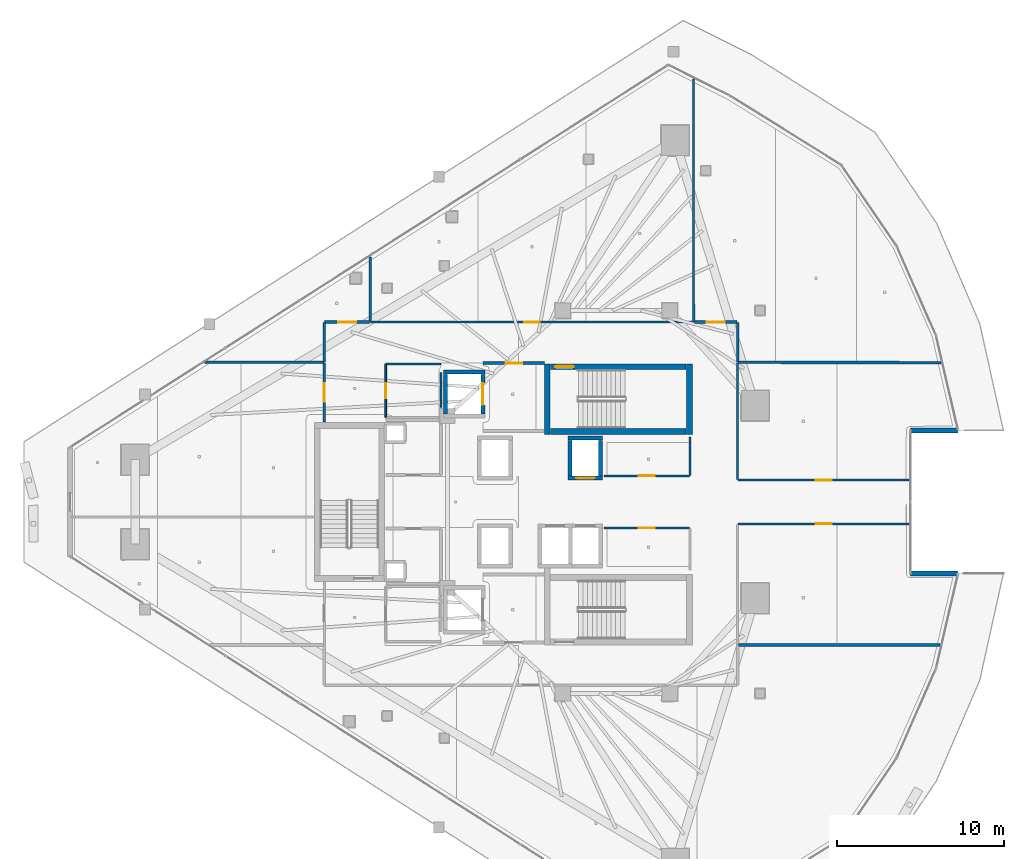
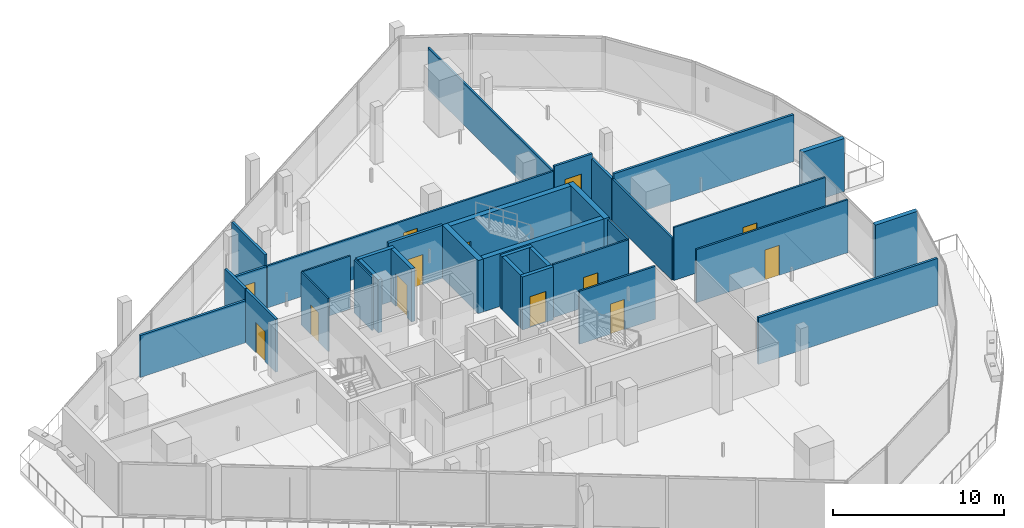
# One storey, part 22 of 30: 34 walls, 13 doors, 13 openings.
"""IFC4 building model written with IfcOpenShell, lengths in metres."""

from ifc_helpers import new_model, si_unit, direction, frame, frame_2d, origin, place, context, subcontext, project, spatial, rectangle, extrude, material, layer, layer_set, type_object, element, fill, save


model = new_model("IFC4")

# Units and contexts
model_context = context("Model", 3, precision=1e-05, world=origin(), true_north=direction((0.0, 1.0)))
body_context = subcontext(model_context, "Body", "Model", "MODEL_VIEW")
ifc_project = project(units=[si_unit("LENGTHUNIT", "METRE"), si_unit("AREAUNIT", "SQUARE_METRE"), si_unit("VOLUMEUNIT", "CUBIC_METRE"), si_unit("PLANEANGLEUNIT", "RADIAN"), si_unit("MASSUNIT", "GRAM", prefix="KILO")], contexts=[model_context])

# Site, building, storey
site_placement = place(None, origin())
site = spatial("IfcSite", under=ifc_project, at=site_placement, CompositionType="ELEMENT")
building_placement = place(site_placement, origin())
building = spatial("IfcBuilding", under=site, at=building_placement, Name="Qorvath Tower", CompositionType="ELEMENT")
storey_placement = place(building_placement, frame((0.0, 0.0, 217.199951171875)))
storey = spatial("IfcBuildingStorey", under=building, at=storey_placement, Name="L50", CompositionType="ELEMENT", Elevation=217.199951171875)

# Wall, opening, door
ifc_material_1 = material(Name="Gypsum shaftliner on steel studs", Category="steel")
ifc_layer_1 = layer(ifc_material_1, 0.179931640625)
ifc_layer_set_1 = layer_set([ifc_layer_1], Name="FW-LOBBY")
wall_type_1 = type_object("IfcWallType", Name="FW-LOBBY", PredefinedType="PARTITIONING", material=ifc_layer_set_1)
wall_1_placement = place(storey_placement, frame((-24.68408203125, 8.300048828125, 0.0), z_axis=(0.0, 0.0, 1.0), x_axis=(-1.0, 0.0, 0.0)))
wall_1 = element("IfcWall", 1, at=wall_1_placement, inside=storey, type_object=wall_type_1, Name="Interior Partition IW-T1-L50-002", PredefinedType="PARTITIONING", context=body_context, shape_type="SweptSolid", body=[
    extrude(rectangle(XDim=3.6708984375, YDim=0.179931640625, at=frame_2d((1.83544921875, 0.0))), origin(), (0.0, 0.0, 1.0), 3.780029296875),
])
opening_1_placement = place(wall_1_placement, frame((1.33544921875, 0.0, 0.0)))
opening_1 = element("IfcOpeningElement", 2, at=opening_1_placement, cuts=wall_1, Name="Opening D-T1-L50-15", PredefinedType="OPENING", context=body_context, shape_type="SweptSolid", body=[
    extrude(rectangle(XDim=1.0, YDim=2.14990234375, at=frame_2d((0.5, 1.074951171875))), frame((0.0, 0.10009765625, 0.0), z_axis=(0.0, -1.0, 0.0), x_axis=(1.0, 0.0, 0.0)), (0.0, 0.0, 1.0), 0.199951171875),
])
ifc_material_2 = material(Name="Painted galvanised hollow metal", Category="steel")
door_type_1 = type_object("IfcDoorType", Name="FD-60", OperationType="NOTDEFINED", PredefinedType="DOOR", material=ifc_material_2)
door_1_placement = place(opening_1_placement, origin())
door_1 = element("IfcDoor", 3, at=door_1_placement, inside=storey, type_object=door_type_1, Name="Lobby Fire Service Elevator North Door D-T1-L50-15", OperationType="SINGLE_SWING_RIGHT", OverallHeight=2.14990234375, OverallWidth=1.0, PredefinedType="DOOR", context=body_context, shape_type="SweptSolid", body=[
    extrude(rectangle(XDim=1.0, YDim=2.14990234375, at=frame_2d((0.5, 1.074951171875))), frame((0.0, 0.02490234375, 0.0), z_axis=(0.0, -1.0, 0.0), x_axis=(1.0, 0.0, 0.0)), (0.0, 0.0, 1.0), 0.050048828125),
])
fill(opening_1, door_1)

# Walls
ifc_material_3 = material(Name="Double acoustic gypsum board on steel studs", Category="steel")
ifc_layer_2 = layer(ifc_material_3, 0.159912109375)
ifc_layer_set_2 = layer_set([ifc_layer_2], Name="IW-ACOUSTIC-160")
wall_type_2 = type_object("IfcWallType", Name="IW-ACOUSTIC-160", PredefinedType="PARTITIONING", material=ifc_layer_set_2)
wall_2_placement = place(storey_placement, frame((-45.034423828125, 8.35009765625, 0.0), z_axis=(0.0, 0.0, 1.0), x_axis=(1.0, 0.0, 0.0)))
element("IfcWall", 4, at=wall_2_placement, inside=storey, type_object=wall_type_2, Name="Interior Partition IW-T1-L50-023", PredefinedType="PARTITIONING", context=body_context, shape_type="SweptSolid", body=[
    extrude(rectangle(XDim=7.151611328125, YDim=0.159912109375, at=frame_2d((3.57568359375, 0.0))), origin(), (0.0, 0.0, 1.0), 3.0),
])
wall_3_placement = place(storey_placement, frame((-37.85791015625, 8.375, 0.0), z_axis=(0.0, 0.0, 1.0), x_axis=(0.0, 1.0, 0.0)))
element("IfcWall", 5, at=wall_3_placement, inside=storey, type_object=wall_type_2, Name="Interior Partition IW-T1-L50-024", PredefinedType="PARTITIONING", context=body_context, shape_type="SweptSolid", body=[
    extrude(rectangle(XDim=2.358154296875, YDim=0.159912109375, at=frame_2d((1.17919921875, 0.0))), origin(), (0.0, 0.0, 1.0), 3.780029296875),
])

# Wall, opening, door
wall_4_placement = place(storey_placement, frame((-35.142333984375, 10.758056640625, 0.0), z_axis=(0.0, 0.0, 1.0), x_axis=(-1.0, 0.0, 0.0)))
wall_4 = element("IfcWall", 6, at=wall_4_placement, inside=storey, type_object=wall_type_2, Name="Interior Partition IW-T1-L50-025", PredefinedType="PARTITIONING", context=body_context, shape_type="SweptSolid", body=[
    extrude(rectangle(XDim=2.690673828125, YDim=0.159912109375, at=frame_2d((1.34521484375, 0.0))), origin(), (0.0, 0.0, 1.0), 3.0),
])
opening_2_placement = place(wall_4_placement, frame((0.79541015625, 0.0, 0.0)))
opening_2 = element("IfcOpeningElement", 7, at=opening_2_placement, cuts=wall_4, Name="Opening D-T1-L50-07", PredefinedType="OPENING", context=body_context, shape_type="SweptSolid", body=[
    extrude(rectangle(XDim=1.10009765625, YDim=2.14990234375, at=frame_2d((0.550048828125, 1.074951171875))), frame((0.0, 0.08984375, 0.0), z_axis=(0.0, -1.0, 0.0), x_axis=(1.0, 0.0, 0.0)), (0.0, 0.0, 1.0), 0.179931640625),
])
ifc_material_4 = material(Name="Anodised aluminium acoustic framed glass", Category="aluminium")
door_type_2 = type_object("IfcDoorType", Name="D-03", OperationType="NOTDEFINED", PredefinedType="DOOR", material=ifc_material_4)
door_2_placement = place(opening_2_placement, origin())
door_2 = element("IfcDoor", 8, at=door_2_placement, inside=storey, type_object=door_type_2, Name="L50-01 Enclosed Conference Suite Door D-T1-L50-07", OperationType="SINGLE_SWING_RIGHT", OverallHeight=2.14990234375, OverallWidth=1.10009765625, PredefinedType="DOOR", context=body_context, shape_type="SweptSolid", body=[
    extrude(rectangle(XDim=1.10009765625, YDim=2.14990234375, at=frame_2d((0.550048828125, 1.074951171875))), frame((0.0, 0.02490234375, 0.0), z_axis=(0.0, -1.0, 0.0), x_axis=(1.0, 0.0, 0.0)), (0.0, 0.0, 1.0), 0.050048828125),
])
fill(opening_2, door_2)

# Wall
wall_5_placement = place(storey_placement, frame((-35.117431640625, 10.783203125, 0.0), z_axis=(0.0, 0.0, 1.0), x_axis=(0.0, 1.0, 0.0)))
element("IfcWall", 9, at=wall_5_placement, inside=storey, type_object=wall_type_2, Name="Interior Partition IW-T1-L50-026", PredefinedType="PARTITIONING", context=body_context, shape_type="SweptSolid", body=[
    extrude(rectangle(XDim=3.876220703125, YDim=0.159912109375, at=frame_2d((1.93798828125, 0.0))), origin(), (0.0, 0.0, 1.0), 3.780029296875),
])

# Wall, opening, door
wall_6_placement = place(storey_placement, frame((-15.734375, 10.758056640625, 0.0), z_axis=(0.0, 0.0, 1.0), x_axis=(1.0, 0.0, 0.0)))
wall_6 = element("IfcWall", 10, at=wall_6_placement, inside=storey, type_object=wall_type_2, Name="Interior Partition IW-T1-L50-029", PredefinedType="PARTITIONING", context=body_context, shape_type="SweptSolid", body=[
    extrude(rectangle(XDim=2.5673828125, YDim=0.159912109375, at=frame_2d((1.28369140625, 0.0))), origin(), (0.0, 0.0, 1.0), 3.34423828125),
])
opening_3_placement = place(wall_6_placement, frame((0.733642578125, 0.0, 0.0)))
opening_3 = element("IfcOpeningElement", 11, at=opening_3_placement, cuts=wall_6, Name="Opening D-T1-L50-09", PredefinedType="OPENING", context=body_context, shape_type="SweptSolid", body=[
    extrude(rectangle(XDim=1.10009765625, YDim=2.14990234375, at=frame_2d((0.550048828125, 1.074951171875))), frame((0.0, 0.08984375, 0.0), z_axis=(0.0, -1.0, 0.0), x_axis=(1.0, 0.0, 0.0)), (0.0, 0.0, 1.0), 0.179931640625),
])
door_3_placement = place(opening_3_placement, origin())
door_3 = element("IfcDoor", 12, at=door_3_placement, inside=storey, type_object=door_type_2, Name="L50-03 Client Services Office Door D-T1-L50-09", OperationType="SINGLE_SWING_RIGHT", OverallHeight=2.14990234375, OverallWidth=1.10009765625, PredefinedType="DOOR", context=body_context, shape_type="SweptSolid", body=[
    extrude(rectangle(XDim=1.10009765625, YDim=2.14990234375, at=frame_2d((0.550048828125, 1.074951171875))), frame((0.0, 0.02490234375, 0.0), z_axis=(0.0, -1.0, 0.0), x_axis=(1.0, 0.0, 0.0)), (0.0, 0.0, 1.0), 0.050048828125),
])
fill(opening_3, door_3)

# Walls
wall_7_placement = place(storey_placement, frame((-13.14208984375, 10.733154296875, 0.0), z_axis=(0.0, 0.0, 1.0), x_axis=(0.0, -1.0, 0.0)))
element("IfcWall", 13, at=wall_7_placement, inside=storey, type_object=wall_type_2, Name="Interior Partition IW-T1-L50-030", PredefinedType="PARTITIONING", context=body_context, shape_type="SweptSolid", body=[
    extrude(rectangle(XDim=2.358154296875, YDim=0.159912109375, at=frame_2d((1.17919921875, 0.0))), origin(), (0.0, 0.0, 1.0), 3.0),
])
wall_8_placement = place(storey_placement, frame((-13.1171875, 8.35009765625, 0.0), z_axis=(0.0, 0.0, 1.0), x_axis=(0.999998922727, -0.001467836675, 0.0)))
element("IfcWall", 14, at=wall_8_placement, inside=storey, type_object=wall_type_2, Name="Interior Partition IW-T1-L50-031", PredefinedType="PARTITIONING", context=body_context, shape_type="SweptSolid", body=[
    extrude(rectangle(XDim=12.141845703125, YDim=0.159912109375, at=frame_2d((6.07080078125, 0.0))), origin(), (0.0, 0.0, 1.0), 3.34423828125),
])
wall_9_placement = place(storey_placement, frame((-1.026123046875, -8.550048828125, 0.0), z_axis=(0.0, 0.0, 1.0), x_axis=(-1.0, 0.0, 0.0)))
element("IfcWall", 15, at=wall_9_placement, inside=storey, type_object=wall_type_2, Name="Interior Partition IW-T1-L50-032", PredefinedType="PARTITIONING", context=body_context, shape_type="SweptSolid", body=[
    extrude(rectangle(XDim=12.091064453125, YDim=0.159912109375, at=frame_2d((6.04541015625, 0.0))), origin(), (0.0, 0.0, 1.0), 3.34423828125),
])

# Wall, opening, door
wall_10_placement = place(storey_placement, frame((-37.85791015625, 4.783203125, 0.0), z_axis=(0.0, 0.0, 1.0), x_axis=(0.0, 1.0, 0.0)))
wall_10 = element("IfcWall", 16, at=wall_10_placement, inside=storey, type_object=wall_type_2, Name="Interior Partition IW-T1-L50-043", PredefinedType="PARTITIONING", context=body_context, shape_type="SweptSolid", body=[
    extrude(rectangle(XDim=3.53369140625, YDim=0.159912109375, at=frame_2d((1.766845703125, 0.0))), origin(), (0.0, 0.0, 1.0), 3.780029296875),
])
opening_4_placement = place(wall_10_placement, frame((1.216796875, 0.0, 0.0)))
opening_4 = element("IfcOpeningElement", 17, at=opening_4_placement, cuts=wall_10, Name="Opening D-T1-L50-14", PredefinedType="OPENING", context=body_context, shape_type="SweptSolid", body=[
    extrude(rectangle(XDim=1.10009765625, YDim=2.14990234375, at=frame_2d((0.550048828125, 1.074951171875))), frame((0.0, 0.08984375, 0.0), z_axis=(0.0, -1.0, 0.0), x_axis=(1.0, 0.0, 0.0)), (0.0, 0.0, 1.0), 0.179931640625),
])
door_4_placement = place(opening_4_placement, origin())
door_4 = element("IfcDoor", 18, at=door_4_placement, inside=storey, type_object=door_type_2, Name="L50-08 Digital Visualization Suite Door D-T1-L50-14", OperationType="SINGLE_SWING_LEFT", OverallHeight=2.14990234375, OverallWidth=1.10009765625, PredefinedType="DOOR", context=body_context, shape_type="SweptSolid", body=[
    extrude(rectangle(XDim=1.10009765625, YDim=2.14990234375, at=frame_2d((0.550048828125, 1.074951171875))), frame((0.0, 0.02490234375, 0.0), z_axis=(0.0, -1.0, 0.0), x_axis=(1.0, 0.0, 0.0)), (0.0, 0.0, 1.0), 0.050048828125),
])
fill(opening_4, door_4)

ifc_material_5 = material(Name="Gypsum board on metal studs with mineral wool", Category="gypsum")
ifc_layer_3 = layer(ifc_material_5, 0.125)
ifc_layer_set_3 = layer_set([ifc_layer_3], Name="IW-PART-125")
wall_type_3 = type_object("IfcWallType", Name="IW-PART-125", PredefinedType="PARTITIONING", material=ifc_layer_set_3)
wall_11_placement = place(storey_placement, frame((-21.1337890625, 1.56005859375, 0.0), z_axis=(0.0, 0.0, 1.0), x_axis=(1.0, 0.0, 0.0)))
wall_11 = element("IfcWall", 19, at=wall_11_placement, inside=storey, type_object=wall_type_3, Name="Interior Partition IW-T1-L50-013", PredefinedType="PARTITIONING", context=body_context, shape_type="SweptSolid", body=[
    extrude(rectangle(XDim=5.10888671875, YDim=0.125, at=frame_2d((2.554443359375, 0.0))), origin(), (0.0, 0.0, 1.0), 3.780029296875),
])
opening_5_placement = place(wall_11_placement, frame((2.079345703125, 0.0, 0.0)))
opening_5 = element("IfcOpeningElement", 20, at=opening_5_placement, cuts=wall_11, Name="Opening D-T1-L50-03", PredefinedType="OPENING", context=body_context, shape_type="SweptSolid", body=[
    extrude(rectangle(XDim=0.949951171875, YDim=2.14990234375, at=frame_2d((0.47509765625, 1.074951171875))), frame((0.0, 0.072509765625, 0.0), z_axis=(0.0, -1.0, 0.0), x_axis=(1.0, 0.0, 0.0)), (0.0, 0.0, 1.0), 0.14501953125),
])
ifc_material_6 = material(Name="Solid-core American white oak veneer", Category="wood")
door_type_3 = type_object("IfcDoorType", Name="D-01", OperationType="NOTDEFINED", PredefinedType="DOOR", material=ifc_material_6)
door_5_placement = place(opening_5_placement, origin())
door_5 = element("IfcDoor", 21, at=door_5_placement, inside=storey, type_object=door_type_3, Name="L50-RCN North Quantitative Server Suite Door D-T1-L50-03", OperationType="SINGLE_SWING_RIGHT", OverallHeight=2.14990234375, OverallWidth=0.949951171875, PredefinedType="DOOR", context=body_context, shape_type="SweptSolid", body=[
    extrude(rectangle(XDim=0.949951171875, YDim=2.14990234375, at=frame_2d((0.47509765625, 1.074951171875))), frame((0.0, 0.02490234375, 0.0), z_axis=(0.0, -1.0, 0.0), x_axis=(1.0, 0.0, 0.0)), (0.0, 0.0, 1.0), 0.050048828125),
])
fill(opening_5, door_5)

# Wall
wall_12_placement = place(storey_placement, frame((-16.0, 1.585205078125, 0.0), z_axis=(0.0, 0.0, 1.0), x_axis=(0.0, 1.0, 0.0)))
element("IfcWall", 22, at=wall_12_placement, inside=storey, type_object=wall_type_3, Name="Interior Partition IW-T1-L50-014", PredefinedType="PARTITIONING", context=body_context, shape_type="SweptSolid", body=[
    extrude(rectangle(XDim=2.30224609375, YDim=0.125, at=frame_2d((1.151123046875, 0.0))), origin(), (0.0, 0.0, 1.0), 3.780029296875),
])

# Wall, opening, door
wall_13_placement = place(storey_placement, frame((-16.02490234375, -1.56005859375, 0.0), z_axis=(0.0, 0.0, 1.0), x_axis=(-1.0, 0.0, 0.0)))
wall_13 = element("IfcWall", 23, at=wall_13_placement, inside=storey, type_object=wall_type_3, Name="Interior Partition IW-T1-L50-016", PredefinedType="PARTITIONING", context=body_context, shape_type="SweptSolid", body=[
    extrude(rectangle(XDim=5.10888671875, YDim=0.125, at=frame_2d((2.554443359375, 0.0))), origin(), (0.0, 0.0, 1.0), 3.780029296875),
])
opening_6_placement = place(wall_13_placement, frame((2.079345703125, 0.0, 0.0)))
opening_6 = element("IfcOpeningElement", 24, at=opening_6_placement, cuts=wall_13, Name="Opening D-T1-L50-04", PredefinedType="OPENING", context=body_context, shape_type="SweptSolid", body=[
    extrude(rectangle(XDim=0.949951171875, YDim=2.14990234375, at=frame_2d((0.47509765625, 1.074951171875))), frame((0.0, 0.072509765625, 0.0), z_axis=(0.0, -1.0, 0.0), x_axis=(1.0, 0.0, 0.0)), (0.0, 0.0, 1.0), 0.14501953125),
])
door_6_placement = place(opening_6_placement, origin())
door_6 = element("IfcDoor", 25, at=door_6_placement, inside=storey, type_object=door_type_3, Name="L50-RCS South Quantitative Server Suite Door D-T1-L50-04", OperationType="SINGLE_SWING_LEFT", OverallHeight=2.14990234375, OverallWidth=0.949951171875, PredefinedType="DOOR", context=body_context, shape_type="SweptSolid", body=[
    extrude(rectangle(XDim=0.949951171875, YDim=2.14990234375, at=frame_2d((0.47509765625, 1.074951171875))), frame((0.0, 0.02490234375, 0.0), z_axis=(0.0, -1.0, 0.0), x_axis=(1.0, 0.0, 0.0)), (0.0, 0.0, 1.0), 0.050048828125),
])
fill(opening_6, door_6)

wall_14_placement = place(storey_placement, frame((-35.08447265625, 10.758056640625, 0.0), z_axis=(0.0, 0.0, 1.0), x_axis=(1.0, 0.0, 0.0)))
wall_14 = element("IfcWall", 26, at=wall_14_placement, inside=storey, type_object=wall_type_3, Name="Interior Partition IW-T1-L50-027", PredefinedType="PARTITIONING", context=body_context, shape_type="SweptSolid", body=[
    extrude(rectangle(XDim=19.292236328125, YDim=0.125, at=frame_2d((9.64599609375, 0.0))), origin(), (0.0, 0.0, 1.0), 3.0),
])
opening_7_placement = place(wall_14_placement, frame((9.171142578125, 0.0, 0.0)))
opening_7 = element("IfcOpeningElement", 27, at=opening_7_placement, cuts=wall_14, Name="Opening D-T1-L50-08", PredefinedType="OPENING", context=body_context, shape_type="SweptSolid", body=[
    extrude(rectangle(XDim=0.949951171875, YDim=2.14990234375, at=frame_2d((0.47509765625, 1.074951171875))), frame((0.0, 0.072509765625, 0.0), z_axis=(0.0, -1.0, 0.0), x_axis=(1.0, 0.0, 0.0)), (0.0, 0.0, 1.0), 0.14501953125),
])
door_7_placement = place(opening_7_placement, origin())
door_7 = element("IfcDoor", 28, at=door_7_placement, inside=storey, type_object=door_type_3, Name="L50-02 Focus Collaboration Pod Door D-T1-L50-08", OperationType="SINGLE_SWING_LEFT", OverallHeight=2.14990234375, OverallWidth=0.949951171875, PredefinedType="DOOR", context=body_context, shape_type="SweptSolid", body=[
    extrude(rectangle(XDim=0.949951171875, YDim=2.14990234375, at=frame_2d((0.47509765625, 1.074951171875))), frame((0.0, 0.02490234375, 0.0), z_axis=(0.0, -1.0, 0.0), x_axis=(1.0, 0.0, 0.0)), (0.0, 0.0, 1.0), 0.050048828125),
])
fill(opening_7, door_7)

# Wall
wall_15_placement = place(storey_placement, frame((-15.767333984375, 10.783203125, 0.0), z_axis=(0.0, 0.0, 1.0), x_axis=(-0.000168234045, 0.999999985849, 0.0)))
element("IfcWall", 29, at=wall_15_placement, inside=storey, type_object=wall_type_3, Name="Interior Partition IW-T1-L50-028", PredefinedType="PARTITIONING", context=body_context, shape_type="SweptSolid", body=[
    extrude(rectangle(XDim=14.511962890625, YDim=0.125, at=frame_2d((7.255859375, 0.0))), origin(), (0.0, 0.0, 1.0), 3.0),
])

# Wall, opening, door
wall_16_placement = place(storey_placement, frame((-2.881591796875, -1.30810546875, 0.0), z_axis=(0.0, 0.0, 1.0), x_axis=(-1.0, 0.0, 0.0)))
wall_16 = element("IfcWall", 30, at=wall_16_placement, inside=storey, type_object=wall_type_3, Name="Interior Partition IW-T1-L50-037", PredefinedType="PARTITIONING", context=body_context, shape_type="SweptSolid", body=[
    extrude(rectangle(XDim=10.235595703125, YDim=0.125, at=frame_2d((5.11767578125, 0.0))), origin(), (0.0, 0.0, 1.0), 3.780029296875),
])
opening_8_placement = place(wall_16_placement, frame((4.642822265625, 0.0, 0.0)))
opening_8 = element("IfcOpeningElement", 31, at=opening_8_placement, cuts=wall_16, Name="Opening D-T1-L50-11", PredefinedType="OPENING", context=body_context, shape_type="SweptSolid", body=[
    extrude(rectangle(XDim=0.949951171875, YDim=2.14990234375, at=frame_2d((0.47509765625, 1.074951171875))), frame((0.0, 0.072509765625, 0.0), z_axis=(0.0, -1.0, 0.0), x_axis=(1.0, 0.0, 0.0)), (0.0, 0.0, 1.0), 0.14501953125),
])
door_8_placement = place(opening_8_placement, origin())
door_8 = element("IfcDoor", 32, at=door_8_placement, inside=storey, type_object=door_type_3, Name="L50-05 Design Pin-Up Atelier Door D-T1-L50-11", OperationType="SINGLE_SWING_RIGHT", OverallHeight=2.14990234375, OverallWidth=0.949951171875, PredefinedType="DOOR", context=body_context, shape_type="SweptSolid", body=[
    extrude(rectangle(XDim=0.949951171875, YDim=2.14990234375, at=frame_2d((0.47509765625, 1.074951171875))), frame((0.0, 0.02490234375, 0.0), z_axis=(0.0, -1.0, 0.0), x_axis=(1.0, 0.0, 0.0)), (0.0, 0.0, 1.0), 0.050048828125),
])
fill(opening_8, door_8)

# Wall
wall_17_placement = place(storey_placement, frame((-13.14208984375, 8.31689453125, 0.0), z_axis=(0.0, 0.0, 1.0), x_axis=(0.0, -1.0, 0.0)))
element("IfcWall", 33, at=wall_17_placement, inside=storey, type_object=wall_type_3, Name="Interior Partition IW-T1-L50-039", PredefinedType="PARTITIONING", context=body_context, shape_type="SweptSolid", body=[
    extrude(rectangle(XDim=6.98388671875, YDim=0.125, at=frame_2d((3.491943359375, 0.0))), origin(), (0.0, 0.0, 1.0), 3.0),
])

# Wall, opening, door
wall_18_placement = place(storey_placement, frame((-13.1171875, 1.30810546875, 0.0), z_axis=(0.0, 0.0, 1.0), x_axis=(1.0, 0.0, 0.0)))
wall_18 = element("IfcWall", 34, at=wall_18_placement, inside=storey, type_object=wall_type_3, Name="Interior Partition IW-T1-L50-040", PredefinedType="PARTITIONING", context=body_context, shape_type="SweptSolid", body=[
    extrude(rectangle(XDim=10.235595703125, YDim=0.125, at=frame_2d((5.11767578125, 0.0))), origin(), (0.0, 0.0, 1.0), 3.780029296875),
])
opening_9_placement = place(wall_18_placement, frame((4.642822265625, 0.0, 0.0)))
opening_9 = element("IfcOpeningElement", 35, at=opening_9_placement, cuts=wall_18, Name="Opening D-T1-L50-12", PredefinedType="OPENING", context=body_context, shape_type="SweptSolid", body=[
    extrude(rectangle(XDim=0.949951171875, YDim=2.14990234375, at=frame_2d((0.47509765625, 1.074951171875))), frame((0.0, 0.072509765625, 0.0), z_axis=(0.0, -1.0, 0.0), x_axis=(1.0, 0.0, 0.0)), (0.0, 0.0, 1.0), 0.14501953125),
])
door_9_placement = place(opening_9_placement, origin())
door_9 = element("IfcDoor", 36, at=door_9_placement, inside=storey, type_object=door_type_3, Name="L50-06 Executive Partner Office Door D-T1-L50-12", OperationType="SINGLE_SWING_LEFT", OverallHeight=2.14990234375, OverallWidth=0.949951171875, PredefinedType="DOOR", context=body_context, shape_type="SweptSolid", body=[
    extrude(rectangle(XDim=0.949951171875, YDim=2.14990234375, at=frame_2d((0.47509765625, 1.074951171875))), frame((0.0, 0.02490234375, 0.0), z_axis=(0.0, -1.0, 0.0), x_axis=(1.0, 0.0, 0.0)), (0.0, 0.0, 1.0), 0.050048828125),
])
fill(opening_9, door_9)

ifc_material_7 = material(Name="Moisture-resistant cement board on metal studs", Category="gypsum")
ifc_layer_4 = layer(ifc_material_7, 0.110107421875)
ifc_layer_set_4 = layer_set([ifc_layer_4], Name="IW-WC-110")
wall_type_4 = type_object("IfcWallType", Name="IW-WC-110", PredefinedType="PARTITIONING", material=ifc_layer_set_4)
wall_19_placement = place(storey_placement, frame((-34.179931640625, 8.22509765625, 0.0), z_axis=(0.0, 0.0, 1.0), x_axis=(0.0, -1.0, 0.0)))
wall_19 = element("IfcWall", 37, at=wall_19_placement, inside=storey, type_object=wall_type_4, Name="Interior Partition IW-T1-L50-005", PredefinedType="PARTITIONING", context=body_context, shape_type="SweptSolid", body=[
    extrude(rectangle(XDim=3.150146484375, YDim=0.110107421875, at=frame_2d((1.5751953125, 0.0))), origin(), (0.0, 0.0, 1.0), 3.780029296875),
])
opening_10_placement = place(wall_19_placement, frame((1.135009765625, 0.0, 0.0)))
opening_10 = element("IfcOpeningElement", 38, at=opening_10_placement, cuts=wall_19, Name="Opening D-T1-L50-01", PredefinedType="OPENING", context=body_context, shape_type="SweptSolid", body=[
    extrude(rectangle(XDim=0.8798828125, YDim=2.10009765625, at=frame_2d((0.43994140625, 1.050048828125))), frame((0.0, 0.06494140625, 0.0), z_axis=(0.0, -1.0, 0.0), x_axis=(1.0, 0.0, 0.0)), (0.0, 0.0, 1.0), 0.130126953125),
])
ifc_material_8 = material(Name="Solid-core oak with acoustic drop seal", Category="wood")
door_type_4 = type_object("IfcDoorType", Name="D-02", OperationType="NOTDEFINED", PredefinedType="DOOR", material=ifc_material_8)
door_10_placement = place(opening_10_placement, origin())
door_10 = element("IfcDoor", 39, at=door_10_placement, inside=storey, type_object=door_type_4, Name="WC All-Gender North L50 Door D-T1-L50-01", OperationType="SINGLE_SWING_RIGHT", OverallHeight=2.10009765625, OverallWidth=0.8798828125, PredefinedType="DOOR", context=body_context, shape_type="SweptSolid", body=[
    extrude(rectangle(XDim=0.8798828125, YDim=2.10009765625, at=frame_2d((0.43994140625, 1.050048828125))), frame((0.0, 0.02490234375, 0.0), z_axis=(0.0, -1.0, 0.0), x_axis=(1.0, 0.0, 0.0)), (0.0, 0.0, 1.0), 0.050048828125),
])
fill(opening_10, door_10)

# Walls
wall_20_placement = place(storey_placement, frame((-30.8798828125, 5.6650390625, 0.0), z_axis=(0.0, 0.0, 1.0), x_axis=(0.0, 1.0, 0.0)))
element("IfcWall", 40, at=wall_20_placement, inside=storey, type_object=wall_type_4, Name="Interior Partition IW-T1-L50-007", PredefinedType="PARTITIONING", context=body_context, shape_type="SweptSolid", body=[
    extrude(rectangle(XDim=2.077880859375, YDim=0.110107421875, at=frame_2d((1.0390625, 0.0))), origin(), (0.0, 0.0, 1.0), 3.780029296875),
])
wall_21_placement = place(storey_placement, frame((-30.90478515625, 8.25, 0.0), z_axis=(0.0, 0.0, 1.0), x_axis=(-1.0, 0.0, 0.0)))
element("IfcWall", 41, at=wall_21_placement, inside=storey, type_object=wall_type_4, Name="Interior Partition IW-T1-L50-008", PredefinedType="PARTITIONING", context=body_context, shape_type="SweptSolid", body=[
    extrude(rectangle(XDim=3.25, YDim=0.110107421875, at=frame_2d((1.625, 0.0))), origin(), (0.0, 0.0, 1.0), 3.780029296875),
])
ifc_material_9 = material(Name="Concrete C60/75", Category="concrete")
ifc_layer_5 = layer(ifc_material_9, 0.260009765625)
ifc_layer_set_5 = layer_set([ifc_layer_5], Name="SW-SHAFT")
wall_type_5 = type_object("IfcWallType", Name="SW-SHAFT", PredefinedType="SHEAR", material=ifc_layer_set_5)
wall_22_placement = place(storey_placement, frame((-30.739990234375, 7.77001953125, 0.0), z_axis=(0.0, 0.0, 1.0), x_axis=(1.0, 0.0, 0.0)))
element("IfcWall", 42, at=wall_22_placement, inside=storey, type_object=wall_type_5, Name="Hoistway Wall FSAE-1 L50 N", PredefinedType="SHEAR", context=body_context, shape_type="SweptSolid", body=[
    extrude(rectangle(XDim=2.47998046875, YDim=0.239990234375, at=frame_2d((1.239990234375, 0.0))), origin(), (0.0, 0.0, 1.0), 3.780029296875),
])
wall_23_placement = place(storey_placement, frame((-30.6201171875, 5.261962890625, 0.0), z_axis=(0.0, 0.0, 1.0), x_axis=(0.0, 1.0, 0.0)))
element("IfcWall", 43, at=wall_23_placement, inside=storey, type_object=wall_type_5, Name="Hoistway Wall FSAE-1 L50 W", PredefinedType="SHEAR", context=body_context, shape_type="SweptSolid", body=[
    extrude(rectangle(XDim=2.3759765625, YDim=0.239990234375, at=frame_2d((1.18798828125, 0.0))), origin(), (0.0, 0.0, 1.0), 3.780029296875),
])

# Wall, opening, door
wall_24_placement = place(storey_placement, frame((-28.3798828125, 7.637939453125, 0.0), z_axis=(0.0, 0.0, 1.0), x_axis=(0.0, -1.0, 0.0)))
wall_24 = element("IfcWall", 44, at=wall_24_placement, inside=storey, type_object=wall_type_5, Name="Hoistway Wall FSAE-1 L50 E", PredefinedType="SHEAR", context=body_context, shape_type="SweptSolid", body=[
    extrude(rectangle(XDim=2.3759765625, YDim=0.239990234375, at=frame_2d((1.18798828125, 0.0))), origin(), (0.0, 0.0, 1.0), 3.780029296875),
])
opening_11_placement = place(wall_24_placement, frame((0.537841796875, 0.0, 0.0)))
opening_11 = element("IfcOpeningElement", 45, at=opening_11_placement, cuts=wall_24, Name="Opening LD-FSAE-1-L50", PredefinedType="OPENING", context=body_context, shape_type="SweptSolid", body=[
    extrude(rectangle(XDim=1.300048828125, YDim=2.300048828125, at=frame_2d((0.64990234375, 1.14990234375))), frame((0.0, 0.1298828125, 0.0), z_axis=(0.0, -1.0, 0.0), x_axis=(1.0, 0.0, 0.0)), (0.0, 0.0, 1.0), 0.260009765625),
])
ifc_material_10 = material(Name="Brushed stainless steel AISI 316", Category="steel")
door_type_5 = type_object("IfcDoorType", Name="LD-02", OperationType="NOTDEFINED", PredefinedType="DOOR", material=ifc_material_10)
door_11_placement = place(opening_11_placement, origin())
door_11 = element("IfcDoor", 46, at=door_11_placement, inside=storey, type_object=door_type_5, Name="Elevator Landing Sliding Door LD-FSAE-1-L50", OperationType="DOUBLE_DOOR_SLIDING", OverallHeight=2.300048828125, OverallWidth=1.300048828125, PredefinedType="DOOR", context=body_context, shape_type="SweptSolid", body=[
    extrude(rectangle(XDim=1.300048828125, YDim=2.300048828125, at=frame_2d((0.64990234375, 1.14990234375))), frame((0.0, 0.02490234375, 0.0), z_axis=(0.0, -1.0, 0.0), x_axis=(1.0, 0.0, 0.0)), (0.0, 0.0, 1.0), 0.050048828125),
])
fill(opening_11, door_11)

wall_25_placement = place(storey_placement, frame((-21.2099609375, 1.429931640625, 0.0), z_axis=(0.0, 0.0, 1.0), x_axis=(-1.0, 0.0, 0.0)))
wall_25 = element("IfcWall", 47, at=wall_25_placement, inside=storey, type_object=wall_type_5, Name="Hoistway Wall PU-1 L50 S", PredefinedType="SHEAR", context=body_context, shape_type="SweptSolid", body=[
    extrude(rectangle(XDim=2.080078125, YDim=0.239990234375, at=frame_2d((1.0400390625, 0.0))), origin(), (0.0, 0.0, 1.0), 3.780029296875),
])
opening_12_placement = place(wall_25_placement, frame((0.489990234375, 0.0, 0.0)))
opening_12 = element("IfcOpeningElement", 48, at=opening_12_placement, cuts=wall_25, Name="Opening LD-PU-1-L50", PredefinedType="OPENING", context=body_context, shape_type="SweptSolid", body=[
    extrude(rectangle(XDim=1.10009765625, YDim=2.199951171875, at=frame_2d((0.550048828125, 1.10009765625))), frame((0.0, 0.1298828125, 0.0), z_axis=(0.0, -1.0, 0.0), x_axis=(1.0, 0.0, 0.0)), (0.0, 0.0, 1.0), 0.260009765625),
])
ifc_material_11 = material(Name="Brushed stainless steel AISI 316", Category="steel")
door_type_6 = type_object("IfcDoorType", Name="LD-01", OperationType="NOTDEFINED", PredefinedType="DOOR", material=ifc_material_11)
door_12_placement = place(opening_12_placement, origin())
door_12 = element("IfcDoor", 49, at=door_12_placement, inside=storey, type_object=door_type_6, Name="Elevator Landing Sliding Door LD-PU-1-L50", OperationType="DOUBLE_DOOR_SLIDING", OverallHeight=2.199951171875, OverallWidth=1.10009765625, PredefinedType="DOOR", context=body_context, shape_type="SweptSolid", body=[
    extrude(rectangle(XDim=1.10009765625, YDim=2.199951171875, at=frame_2d((0.550048828125, 1.10009765625))), frame((0.0, 0.02490234375, 0.0), z_axis=(0.0, -1.0, 0.0), x_axis=(1.0, 0.0, 0.0)), (0.0, 0.0, 1.0), 0.050048828125),
])
fill(opening_12, door_12)

# Walls
wall_26_placement = place(storey_placement, frame((-23.2900390625, 3.820068359375, 0.0), z_axis=(0.0, 0.0, 1.0), x_axis=(1.0, 0.0, 0.0)))
element("IfcWall", 50, at=wall_26_placement, inside=storey, type_object=wall_type_5, Name="Hoistway Wall PU-1 L50 N", PredefinedType="SHEAR", context=body_context, shape_type="SweptSolid", body=[
    extrude(rectangle(XDim=2.080078125, YDim=0.239990234375, at=frame_2d((1.0400390625, 0.0))), origin(), (0.0, 0.0, 1.0), 3.780029296875),
])
for number, where, z_axis, x_axis, name in (
    (51, (-23.169921875, 1.56201171875, 0.0), (0.0, 0.0, 1.0), (0.0, 1.0, 0.0), "Hoistway Wall PU-1 L50 W"),
    (52, (-21.330078125, 3.68798828125, 0.0), (0.0, 0.0, 1.0), (0.0, -1.0, 0.0), "Hoistway Wall PU-1 L50 E"),
):
    element("IfcWall", number, at=place(storey_placement, frame(where, z_axis=z_axis, x_axis=x_axis)), inside=storey, type_object=wall_type_5, Name=name, PredefinedType="SHEAR", context=body_context, shape_type="SweptSolid", body=[
        extrude(rectangle(XDim=2.1259765625, YDim=0.239990234375, at=frame_2d((1.06298828125, 0.0))), origin(), (0.0, 0.0, 1.0), 3.780029296875),
    ])
ifc_material_12 = material(Name="Concrete C60/75", Category="concrete")
ifc_layer_6 = layer(ifc_material_12, 0.35009765625)
ifc_layer_set_6 = layer_set([ifc_layer_6], Name="SW-STAIR")
wall_type_6 = type_object("IfcWallType", Name="SW-STAIR", PredefinedType="SHEAR", material=ifc_layer_set_6)
for number, where, z_axis, x_axis, name in (
    (53, (-24.52490234375, 8.260009765625, 0.0), (0.0, 0.0, 1.0), (0.0, -1.0, 0.0), "Stair TS1 Shear Wall L50 NEAR"),
    (54, (-16.02490234375, 4.050048828125, 0.0), (0.0, 0.0, 1.0), (0.0, 1.0, 0.0), "Stair TS1 Shear Wall L50 FAR"),
):
    element("IfcWall", number, at=place(storey_placement, frame(where, z_axis=z_axis, x_axis=x_axis)), inside=storey, type_object=wall_type_6, Name=name, PredefinedType="SHEAR", context=body_context, shape_type="SweptSolid", body=[
        extrude(rectangle(XDim=4.2099609375, YDim=0.35009765625, at=frame_2d((2.10498046875, 0.0))), origin(), (0.0, 0.0, 1.0), 3.780029296875),
    ])
wall_27_placement = place(storey_placement, frame((-24.3349609375, 4.22509765625, 0.0), z_axis=(0.0, 0.0, 1.0), x_axis=(1.0, 0.0, 0.0)))
element("IfcWall", 55, at=wall_27_placement, inside=storey, type_object=wall_type_6, Name="Stair TS1 Shear Wall L50 LEFT", PredefinedType="SHEAR", context=body_context, shape_type="SweptSolid", body=[
    extrude(rectangle(XDim=8.119873046875, YDim=0.35009765625, at=frame_2d((4.06005859375, 0.0))), origin(), (0.0, 0.0, 1.0), 3.780029296875),
])

# Wall, opening, door
wall_28_placement = place(storey_placement, frame((-16.215087890625, 8.0849609375, 0.0), z_axis=(0.0, 0.0, 1.0), x_axis=(-1.0, 0.0, 0.0)))
wall_28 = element("IfcWall", 56, at=wall_28_placement, inside=storey, type_object=wall_type_6, Name="Stair TS1 Shear Wall L50 RIGHT", PredefinedType="SHEAR", context=body_context, shape_type="SweptSolid", body=[
    extrude(rectangle(XDim=8.119873046875, YDim=0.35009765625, at=frame_2d((4.06005859375, 0.0))), origin(), (0.0, 0.0, 1.0), 3.780029296875),
])
opening_13_placement = place(wall_28_placement, frame((6.739990234375, 0.0, 0.0)))
opening_13 = element("IfcOpeningElement", 57, at=opening_13_placement, cuts=wall_28, Name="Opening D-TS1-L50", PredefinedType="OPENING", context=body_context, shape_type="SweptSolid", body=[
    extrude(rectangle(XDim=1.10009765625, YDim=2.199951171875, at=frame_2d((0.550048828125, 1.10009765625))), frame((0.0, 0.18505859375, 0.0), z_axis=(0.0, -1.0, 0.0), x_axis=(1.0, 0.0, 0.0)), (0.0, 0.0, 1.0), 0.3701171875),
])
ifc_material_13 = material(Name="Painted galvanised hollow metal", Category="steel")
door_type_7 = type_object("IfcDoorType", Name="FD-90", OperationType="NOTDEFINED", PredefinedType="DOOR", material=ifc_material_13)
door_13_placement = place(opening_13_placement, origin())
door_13 = element("IfcDoor", 58, at=door_13_placement, inside=storey, type_object=door_type_7, Name="Stair TS1 Fire Door L50", OperationType="SINGLE_SWING_LEFT", OverallHeight=2.199951171875, OverallWidth=1.10009765625, PredefinedType="DOOR", context=body_context, shape_type="SweptSolid", body=[
    extrude(rectangle(XDim=1.10009765625, YDim=2.199951171875, at=frame_2d((0.550048828125, 1.10009765625))), frame((0.0, 0.02490234375, 0.0), z_axis=(0.0, -1.0, 0.0), x_axis=(1.0, 0.0, 0.0)), (0.0, 0.0, 1.0), 0.050048828125),
])
fill(opening_13, door_13)

# Walls
ifc_material_14 = material(Name="Precast concrete C45/55", Category="concrete")
ifc_layer_7 = layer(ifc_material_14, 0.300048828125)
ifc_layer_set_7 = layer_set([ifc_layer_7], Name="WL-EW-LOG-300")
wall_type_7 = type_object("IfcWallType", Name="WL-EW-LOG-300", PredefinedType="SOLIDWALL", material=ifc_layer_set_7)
for number, where, z_axis, x_axis, name in (
    (59, (0.049560546875, -4.27685546875, 0.0), (0.0, 0.0, 1.0), (-1.0, 0.0, 0.0), "Tower Precast Loggia Wall L50-8.1"),
    (60, (-2.8017578125, 4.27685546875, 0.0), (0.0, 0.0, 1.0), (1.0, 0.0, 0.0), "Tower Precast Loggia Wall L50-10.1"),
):
    element("IfcWall", number, at=place(storey_placement, frame(where, z_axis=z_axis, x_axis=x_axis)), inside=storey, type_object=wall_type_7, Name=name, PredefinedType="SOLIDWALL", context=body_context, shape_type="SweptSolid", body=[
        extrude(rectangle(XDim=2.851318359375, YDim=0.300048828125, at=frame_2d((1.42578125, 0.0))), origin(), (0.0, 0.0, 1.0), 3.780029296875),
    ])

save(model, "model.ifc")
